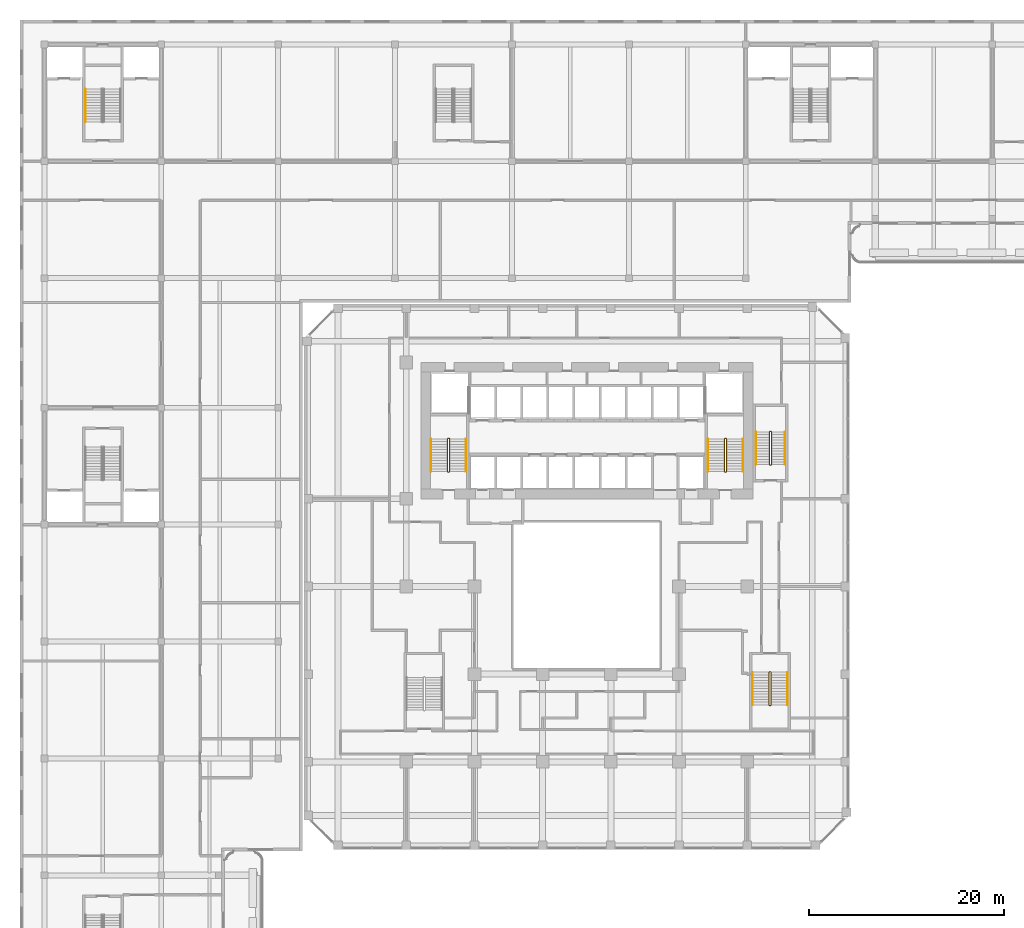
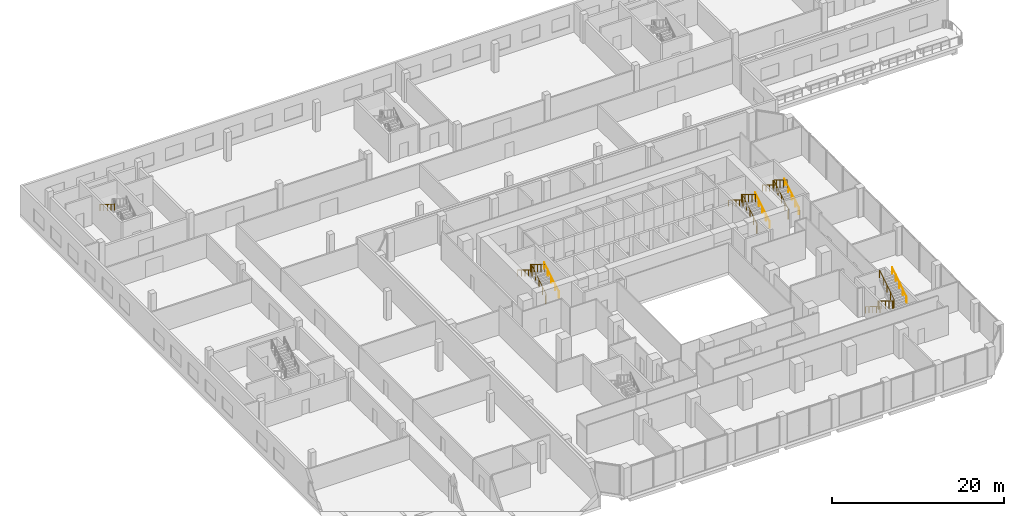
# One storey, part 31 of 36: 13 railings.
"""IFC4 building model written with IfcOpenShell, lengths in metres."""

import ifcopenshell
import ifcopenshell.guid

model = None  # the IFC model being written
_history = None  # IfcOwnerHistory: only IFC2X3 demands one
_inside = {}  # id of a spatial element -> (the spatial element, [elements in it])
_under = {}  # id of a project, library or spatial element -> (it, [spatial elements below it])
_declared = {}  # id of a project -> (the project, [libraries it declares])
_typed = {}  # id of a type object -> (the type object, [elements of that type])
_made_of = {}  # id of a material, layer set ... -> (it, [elements and type objects made of it])


def new_model(schema):
    """Start an empty IFC model of exactly this schema.

    Asked for "IFC4X3", IfcOpenShell would pick the latest addendum, in which some entities
    have other attributes; the version numbers below select the first issue.
    IFC2X3 requires an IfcOwnerHistory on every rooted entity: one is made here for all.
    """
    global model, _history
    if schema == "IFC4X3":
        model = ifcopenshell.file(schema_version=(4, 3, 0, 0))
    else:
        model = ifcopenshell.file(schema=schema)
    _inside.clear()
    _under.clear()
    _declared.clear()
    _typed.clear()
    _made_of.clear()
    _history = None
    if model.schema == "IFC2X3":
        org = make("IfcOrganization", Name="unknown")
        user = make(
            "IfcPersonAndOrganization",
            ThePerson=make("IfcPerson", FamilyName="unknown"),
            TheOrganization=org,
        )
        app = make(
            "IfcApplication",
            ApplicationDeveloper=org,
            Version="unknown",
            ApplicationFullName="unknown",
            ApplicationIdentifier="unknown",
        )
        _history = make(
            "IfcOwnerHistory",
            OwningUser=user,
            OwningApplication=app,
            ChangeAction="ADDED",
            CreationDate=0,
        )
    return model


def make(cls, **values):
    """One entity of the class cls with the attributes given. An attribute that is None is left unset."""
    return model.create_entity(
        cls, **{name: value for name, value in values.items() if value is not None}
    )


def rooted(cls, **values):
    """An entity with a GlobalId (a new one), such as an element, a storey or a relation."""
    return make(cls, GlobalId=ifcopenshell.guid.new(), OwnerHistory=_history, **values)


def si_unit(unit_type, name, prefix=None):
    """IfcSIUnit, for example si_unit("LENGTHUNIT", "METRE", prefix="MILLI")."""
    return make("IfcSIUnit", UnitType=unit_type, Prefix=prefix, Name=name)


def assignment(units):
    """IfcUnitAssignment: the units of a project."""
    return None if units is None else make("IfcUnitAssignment", Units=units)


def point(xyz):
    """IfcCartesianPoint."""
    return None if xyz is None else make("IfcCartesianPoint", Coordinates=xyz)


def direction(xyz):
    """IfcDirection."""
    return None if xyz is None else make("IfcDirection", DirectionRatios=xyz)


def frame(location, z_axis=None, x_axis=None):
    """IfcAxis2Placement3D, a coordinate frame: its origin and axes. An axis left out is left unset."""
    return make(
        "IfcAxis2Placement3D",
        Location=point(location),
        Axis=direction(z_axis),
        RefDirection=direction(x_axis),
    )


def frame_2d(location, x_axis=None):
    """IfcAxis2Placement2D, a coordinate frame in the plane: its origin and x axis."""
    return make(
        "IfcAxis2Placement2D", Location=point(location), RefDirection=direction(x_axis)
    )


def origin():
    """The frame at (0, 0, 0) with its axes left unset."""
    return frame((0.0, 0.0, 0.0))


def origin_2d():
    """The frame at (0, 0) in the plane with its x axis left unset."""
    return frame_2d((0.0, 0.0))


def place(relative_to, where):
    """IfcLocalPlacement: puts the frame where relative to a parent placement (None: the world)."""
    return make(
        "IfcLocalPlacement", PlacementRelTo=relative_to, RelativePlacement=where
    )


def context(
    kind, dimensions, precision=None, world=None, true_north=None, identifier=None
):
    """IfcGeometricRepresentationContext, for example the 3D "Model" context."""
    return make(
        "IfcGeometricRepresentationContext",
        ContextIdentifier=identifier,
        ContextType=kind,
        CoordinateSpaceDimension=dimensions,
        Precision=precision,
        WorldCoordinateSystem=world,
        TrueNorth=true_north,
    )


def subcontext(parent, identifier, kind, view, scale=None):
    """IfcGeometricRepresentationSubContext, for example "Body" below "Model"."""
    return make(
        "IfcGeometricRepresentationSubContext",
        ContextIdentifier=identifier,
        ContextType=kind,
        ParentContext=parent,
        TargetScale=scale,
        TargetView=view,
    )


def project(units=None, contexts=None):
    """IfcProject with its units and contexts."""
    return rooted(
        "IfcProject",
        Name="project",
        RepresentationContexts=contexts,
        UnitsInContext=assignment(units),
    )


def spatial(cls, under=None, at=None, **own):
    """A site, building, storey or space (cls), placed at a placement, below another one or the project."""
    s = rooted(cls, ObjectPlacement=at, **own)
    if under is not None:
        _under.setdefault(under.id(), (under, []))[1].append(s)
    return s


def profile(cls, at=None, kind="AREA", **sizes):
    """A parametric profile (cls). Its sizes go by their IFC names, for example OverallWidth=200.0."""
    return make(cls, ProfileType=kind, Position=at, **sizes)


def circle(**sizes):
    """IfcCircleProfileDef."""
    return profile("IfcCircleProfileDef", **sizes)


def extrude(swept, where, along, depth):
    """IfcExtrudedAreaSolid: the profile swept, set in the frame where, extruded along a direction by depth."""
    return make(
        "IfcExtrudedAreaSolid",
        SweptArea=swept,
        Position=where,
        ExtrudedDirection=direction(along),
        Depth=depth,
    )


def shape(context_of_items, identifier, shape_type, items):
    """IfcShapeRepresentation: the items that make up one representation, for example the "Body"."""
    return make(
        "IfcShapeRepresentation",
        ContextOfItems=context_of_items,
        RepresentationIdentifier=identifier,
        RepresentationType=shape_type,
        Items=items,
    )


def material(Name=None, Category=None):
    """IfcMaterial."""
    return make("IfcMaterial", Name=Name, Category=Category)


def made_of(thing, what):
    """Note that an element or type object is made of a material, layer set ...; save() writes the relation."""
    if what is not None:
        _made_of.setdefault(what.id(), (what, []))[1].append(thing)
    return thing


def type_object(cls, material=None, **own):
    """A type object (cls), such as IfcWallType, which elements share."""
    return made_of(rooted(cls, **own), material)


def element(
    cls,
    number,
    at=None,
    inside=None,
    cuts=None,
    type_object=None,
    material=None,
    context=None,
    identifier="Body",
    shape_type=None,
    held_by="IfcProductDefinitionShape",
    body=None,
    shapes=None,
    **own,
):
    """One element of the class cls, such as IfcWall. Its Tag is "e" and its number.

    at: its placement. inside: the storey or other place that contains it. cuts: it is an
    opening in that element (IfcRelVoidsElement). A single representation is given by context,
    identifier, shape_type and body (its items); several are given by shapes. held_by: the class
    of the entity that holds the representations. save() writes the other relations.
    """
    e = rooted(cls, Tag="e%d" % number, ObjectPlacement=at, **own)
    if body is not None:
        shapes = [shape(context, identifier, shape_type, body)]
    if shapes is not None:
        e.Representation = make(held_by, Representations=shapes)
    if inside is not None:
        _inside.setdefault(inside.id(), (inside, []))[1].append(e)
    if cuts is not None:
        rooted(
            "IfcRelVoidsElement", RelatingBuildingElement=cuts, RelatedOpeningElement=e
        )
    if type_object is not None:
        _typed.setdefault(type_object.id(), (type_object, []))[1].append(e)
    return made_of(e, material)


def aggregate(whole, parts):
    """IfcRelAggregates: a whole, such as a stair, and the parts it consists of."""
    return rooted("IfcRelAggregates", RelatingObject=whole, RelatedObjects=parts)


def save(model, path):
    """Write the relations noted so far, then the file.

    IfcRelAggregates (storeys below a building ...), IfcRelContainedInSpatialStructure (elements
    in a storey), IfcRelDefinesByType, IfcRelAssociatesMaterial and IfcRelDeclares: one each for
    every whole, place, type object, material and project.
    """
    for whole, parts in _under.values():
        aggregate(whole, parts)
    for where, things in _inside.values():
        rooted(
            "IfcRelContainedInSpatialStructure",
            RelatedElements=things,
            RelatingStructure=where,
        )
    for kind, things in _typed.values():
        rooted("IfcRelDefinesByType", RelatedObjects=things, RelatingType=kind)
    for what, things in _made_of.values():
        rooted("IfcRelAssociatesMaterial", RelatedObjects=things, RelatingMaterial=what)
    for by, libraries in _declared.values():
        rooted("IfcRelDeclares", RelatingContext=by, RelatedDefinitions=libraries)
    model.write(path)


model = new_model("IFC4")

# Units and contexts
model_context = context("Model", 3, precision=1e-05, world=origin(), true_north=direction((0.0, 1.0)))
body_context = subcontext(model_context, "Body", "Model", "MODEL_VIEW")
ifc_project = project(units=[si_unit("LENGTHUNIT", "METRE"), si_unit("AREAUNIT", "SQUARE_METRE"), si_unit("VOLUMEUNIT", "CUBIC_METRE"), si_unit("PLANEANGLEUNIT", "RADIAN"), si_unit("MASSUNIT", "GRAM", prefix="KILO")], contexts=[model_context])

# Site, building, storey
site_placement = place(None, origin())
site = spatial("IfcSite", under=ifc_project, at=site_placement, CompositionType="ELEMENT")
building_placement = place(site_placement, origin())
building = spatial("IfcBuilding", under=site, at=building_placement, Name="Kilnfold Tower and Market Hall", CompositionType="ELEMENT")
storey_placement = place(building_placement, frame((0.0, 0.0, 18.0)))
storey = spatial("IfcBuildingStorey", under=building, at=storey_placement, Name="L03", CompositionType="ELEMENT", Elevation=18.0)

# Railings
ifc_material_1 = material(Name="Stainless steel 316", Category="steel")
railing_type_1 = type_object("IfcRailingType", Name="CORE STAIR GUARD 1100", PredefinedType="GUARDRAIL", material=ifc_material_1)
railing_1_placement = place(storey_placement, frame((-13.199951171875, 10.75, 0.0)))
element("IfcRailing", 1, at=railing_1_placement, inside=storey, type_object=railing_type_1, Name="L03 ST1 stair guard 1", PredefinedType="GUARDRAIL", context=body_context, shape_type="SweptSolid", body=[
    extrude(circle(Radius=0.02392578125, at=origin_2d()), frame((0.0, 0.0, 1.076171875), z_axis=(1.0, 0.0, 0.0), x_axis=(0.0, 1.0, 0.0)), (0.0, 0.0, 1.0), 0.099853515625),
    extrude(circle(Radius=0.02392578125, at=origin_2d()), frame((0.099853515625, 0.0, 1.076171875), z_axis=(0.267629722418, 0.267629722418, 0.925607186314), x_axis=(-0.707106781187, 0.707106781187, 0.0)), (0.0, 0.0, 1.0), 0.18701171875),
    extrude(circle(Radius=0.02392578125, at=origin_2d()), frame((0.14990234375, 0.050048828125, 1.2490234375), z_axis=(0.0, 0.850606129759, 0.525803396734), x_axis=(-1.0, 0.0, 0.0)), (0.0, 0.0, 1.0), 3.949951171875),
    extrude(circle(Radius=0.02392578125, at=origin_2d()), frame((0.14990234375, 3.409912109375, 3.326171875), z_axis=(-0.707106781187, 0.707106781187, 0.0), x_axis=(-0.707106781187, -0.707106781187, 0.0)), (0.0, 0.0, 1.0), 0.07080078125),
    extrude(circle(Radius=0.02392578125, at=origin_2d()), frame((0.099853515625, 3.4599609375, 3.326171875), z_axis=(-1.0, 0.0, 0.0), x_axis=(0.0, -1.0, 0.0)), (0.0, 0.0, 1.0), 0.099853515625),
    extrude(circle(Radius=0.02392578125, at=origin_2d()), frame((0.0, 3.4599609375, 3.326171875), z_axis=(-0.267629722418, -0.267629722418, 0.925607186314), x_axis=(0.707106781187, -0.707106781187, 0.0)), (0.0, 0.0, 1.0), 0.18701171875),
    extrude(circle(Radius=0.02392578125, at=origin_2d()), frame((-0.050048828125, 3.409912109375, 3.4990234375), z_axis=(0.0, -0.850606129759, 0.525803396734), x_axis=(1.0, 0.0, 0.0)), (0.0, 0.0, 1.0), 3.949951171875),
    extrude(circle(Radius=0.02099609375, at=origin_2d()), origin(), (0.0, 0.0, 1.0), 1.052001953125),
    extrude(circle(Radius=0.02099609375, at=origin_2d()), frame((0.099853515625, 0.0, 0.0)), (0.0, 0.0, 1.0), 1.052001953125),
    extrude(circle(Radius=0.02099609375, at=origin_2d()), frame((0.14990234375, 0.050048828125, 0.173095703125)), (0.0, 0.0, 1.0), 1.052001953125),
    extrude(circle(Radius=0.02099609375, at=origin_2d()), frame((0.14990234375, 0.89013671875, 0.6923828125)), (0.0, 0.0, 1.0), 1.052001953125),
    extrude(circle(Radius=0.02099609375, at=origin_2d()), frame((0.14990234375, 1.72998046875, 1.21142578125)), (0.0, 0.0, 1.0), 1.052001953125),
    extrude(circle(Radius=0.02099609375, at=origin_2d()), frame((0.14990234375, 2.56982421875, 1.730712890625)), (0.0, 0.0, 1.0), 1.052001953125),
    extrude(circle(Radius=0.02099609375, at=origin_2d()), frame((0.14990234375, 3.409912109375, 2.25)), (0.0, 0.0, 1.0), 1.052001953125),
    extrude(circle(Radius=0.02099609375, at=origin_2d()), frame((0.099853515625, 3.4599609375, 2.25)), (0.0, 0.0, 1.0), 1.052001953125),
    extrude(circle(Radius=0.02099609375, at=origin_2d()), frame((0.0, 3.4599609375, 2.25)), (0.0, 0.0, 1.0), 1.052001953125),
    extrude(circle(Radius=0.02099609375, at=origin_2d()), frame((-0.050048828125, 3.409912109375, 2.423095703125)), (0.0, 0.0, 1.0), 1.052001953125),
    extrude(circle(Radius=0.02099609375, at=origin_2d()), frame((-0.050048828125, 2.56982421875, 2.9423828125)), (0.0, 0.0, 1.0), 1.052001953125),
    extrude(circle(Radius=0.02099609375, at=origin_2d()), frame((-0.050048828125, 1.72998046875, 3.46142578125)), (0.0, 0.0, 1.0), 1.052001953125),
    extrude(circle(Radius=0.02099609375, at=origin_2d()), frame((-0.050048828125, 0.89013671875, 3.980712890625)), (0.0, 0.0, 1.0), 1.052001953125),
    extrude(circle(Radius=0.02099609375, at=origin_2d()), frame((-0.050048828125, 0.050048828125, 4.5)), (0.0, 0.0, 1.0), 1.052001953125),
])
railing_2_placement = place(storey_placement, frame((15.199951171875, 10.75, 0.0)))
element("IfcRailing", 2, at=railing_2_placement, inside=storey, type_object=railing_type_1, Name="L03 ST2 stair guard 1", PredefinedType="GUARDRAIL", context=body_context, shape_type="SweptSolid", body=[
    extrude(circle(Radius=0.02392578125, at=origin_2d()), frame((0.0, 0.0, 1.076171875), z_axis=(1.0, 0.0, 0.0), x_axis=(0.0, 1.0, 0.0)), (0.0, 0.0, 1.0), 0.10009765625),
    extrude(circle(Radius=0.02392578125, at=origin_2d()), frame((0.10009765625, 0.0, 1.076171875), z_axis=(0.267629722418, 0.267629722418, 0.925607186314), x_axis=(-0.707106781187, 0.707106781187, 0.0)), (0.0, 0.0, 1.0), 0.18701171875),
    extrude(circle(Radius=0.02392578125, at=origin_2d()), frame((0.150146484375, 0.050048828125, 1.2490234375), z_axis=(0.0, 0.850606129759, 0.525803396734), x_axis=(-1.0, 0.0, 0.0)), (0.0, 0.0, 1.0), 3.949951171875),
    extrude(circle(Radius=0.02392578125, at=origin_2d()), frame((0.150146484375, 3.409912109375, 3.326171875), z_axis=(-0.707106781187, 0.707106781187, 0.0), x_axis=(-0.707106781187, -0.707106781187, 0.0)), (0.0, 0.0, 1.0), 0.07080078125),
    extrude(circle(Radius=0.02392578125, at=origin_2d()), frame((0.10009765625, 3.4599609375, 3.326171875), z_axis=(-1.0, 0.0, 0.0), x_axis=(0.0, -1.0, 0.0)), (0.0, 0.0, 1.0), 0.10009765625),
    extrude(circle(Radius=0.02392578125, at=origin_2d()), frame((0.0, 3.4599609375, 3.326171875), z_axis=(-0.267629722418, -0.267629722418, 0.925607186314), x_axis=(0.707106781187, -0.707106781187, 0.0)), (0.0, 0.0, 1.0), 0.18701171875),
    extrude(circle(Radius=0.02392578125, at=origin_2d()), frame((-0.050048828125, 3.409912109375, 3.4990234375), z_axis=(0.0, -0.850606129759, 0.525803396734), x_axis=(1.0, 0.0, 0.0)), (0.0, 0.0, 1.0), 3.949951171875),
    extrude(circle(Radius=0.02099609375, at=origin_2d()), origin(), (0.0, 0.0, 1.0), 1.052001953125),
    extrude(circle(Radius=0.02099609375, at=origin_2d()), frame((0.10009765625, 0.0, 0.0)), (0.0, 0.0, 1.0), 1.052001953125),
    extrude(circle(Radius=0.02099609375, at=origin_2d()), frame((0.150146484375, 0.050048828125, 0.173095703125)), (0.0, 0.0, 1.0), 1.052001953125),
    extrude(circle(Radius=0.02099609375, at=origin_2d()), frame((0.150146484375, 0.89013671875, 0.6923828125)), (0.0, 0.0, 1.0), 1.052001953125),
    extrude(circle(Radius=0.02099609375, at=origin_2d()), frame((0.150146484375, 1.72998046875, 1.21142578125)), (0.0, 0.0, 1.0), 1.052001953125),
    extrude(circle(Radius=0.02099609375, at=origin_2d()), frame((0.150146484375, 2.56982421875, 1.730712890625)), (0.0, 0.0, 1.0), 1.052001953125),
    extrude(circle(Radius=0.02099609375, at=origin_2d()), frame((0.150146484375, 3.409912109375, 2.25)), (0.0, 0.0, 1.0), 1.052001953125),
    extrude(circle(Radius=0.02099609375, at=origin_2d()), frame((0.10009765625, 3.4599609375, 2.25)), (0.0, 0.0, 1.0), 1.052001953125),
    extrude(circle(Radius=0.02099609375, at=origin_2d()), frame((0.0, 3.4599609375, 2.25)), (0.0, 0.0, 1.0), 1.052001953125),
    extrude(circle(Radius=0.02099609375, at=origin_2d()), frame((-0.050048828125, 3.409912109375, 2.423095703125)), (0.0, 0.0, 1.0), 1.052001953125),
    extrude(circle(Radius=0.02099609375, at=origin_2d()), frame((-0.050048828125, 2.56982421875, 2.9423828125)), (0.0, 0.0, 1.0), 1.052001953125),
    extrude(circle(Radius=0.02099609375, at=origin_2d()), frame((-0.050048828125, 1.72998046875, 3.46142578125)), (0.0, 0.0, 1.0), 1.052001953125),
    extrude(circle(Radius=0.02099609375, at=origin_2d()), frame((-0.050048828125, 0.89013671875, 3.980712890625)), (0.0, 0.0, 1.0), 1.052001953125),
    extrude(circle(Radius=0.02099609375, at=origin_2d()), frame((-0.050048828125, 0.050048828125, 4.5)), (0.0, 0.0, 1.0), 1.052001953125),
])
railing_3_placement = place(storey_placement, frame((19.89990234375, -9.75, 0.0)))
element("IfcRailing", 3, at=railing_3_placement, inside=storey, type_object=railing_type_1, Name="L03 ST4 stair guard 1", PredefinedType="GUARDRAIL", context=body_context, shape_type="SweptSolid", body=[
    extrude(circle(Radius=0.02392578125, at=origin_2d()), frame((0.0, 0.0, 1.076171875), z_axis=(-1.0, 0.0, 0.0), x_axis=(0.0, -1.0, 0.0)), (0.0, 0.0, 1.0), 0.099853515625),
    extrude(circle(Radius=0.02392578125, at=origin_2d()), frame((-0.099853515625, 0.0, 1.076171875), z_axis=(-0.267629722418, -0.267629722418, 0.925607186314), x_axis=(0.707106781187, -0.707106781187, 0.0)), (0.0, 0.0, 1.0), 0.18701171875),
    extrude(circle(Radius=0.02392578125, at=origin_2d()), frame((-0.14990234375, -0.050048828125, 1.2490234375), z_axis=(0.0, -0.850606129759, 0.525803396734), x_axis=(1.0, 0.0, 0.0)), (0.0, 0.0, 1.0), 3.949951171875),
    extrude(circle(Radius=0.02392578125, at=origin_2d()), frame((-0.14990234375, -3.409912109375, 3.326171875), z_axis=(0.707106781187, -0.707106781187, 0.0), x_axis=(0.707106781187, 0.707106781187, 0.0)), (0.0, 0.0, 1.0), 0.07080078125),
    extrude(circle(Radius=0.02392578125, at=origin_2d()), frame((-0.099853515625, -3.4599609375, 3.326171875), z_axis=(1.0, 0.0, 0.0), x_axis=(0.0, 1.0, 0.0)), (0.0, 0.0, 1.0), 0.099853515625),
    extrude(circle(Radius=0.02392578125, at=origin_2d()), frame((0.0, -3.4599609375, 3.326171875), z_axis=(0.267629722418, 0.267629722418, 0.925607186314), x_axis=(-0.707106781187, 0.707106781187, 0.0)), (0.0, 0.0, 1.0), 0.18701171875),
    extrude(circle(Radius=0.02392578125, at=origin_2d()), frame((0.050048828125, -3.409912109375, 3.4990234375), z_axis=(0.0, 0.850606129759, 0.525803396734), x_axis=(-1.0, 0.0, 0.0)), (0.0, 0.0, 1.0), 3.949951171875),
    extrude(circle(Radius=0.02099609375, at=origin_2d()), origin(), (0.0, 0.0, 1.0), 1.052001953125),
    extrude(circle(Radius=0.02099609375, at=origin_2d()), frame((-0.099853515625, 0.0, 0.0)), (0.0, 0.0, 1.0), 1.052001953125),
    extrude(circle(Radius=0.02099609375, at=origin_2d()), frame((-0.14990234375, -0.050048828125, 0.173095703125)), (0.0, 0.0, 1.0), 1.052001953125),
    extrude(circle(Radius=0.02099609375, at=origin_2d()), frame((-0.14990234375, -0.89013671875, 0.6923828125)), (0.0, 0.0, 1.0), 1.052001953125),
    extrude(circle(Radius=0.02099609375, at=origin_2d()), frame((-0.14990234375, -1.72998046875, 1.21142578125)), (0.0, 0.0, 1.0), 1.052001953125),
    extrude(circle(Radius=0.02099609375, at=origin_2d()), frame((-0.14990234375, -2.56982421875, 1.730712890625)), (0.0, 0.0, 1.0), 1.052001953125),
    extrude(circle(Radius=0.02099609375, at=origin_2d()), frame((-0.14990234375, -3.409912109375, 2.25)), (0.0, 0.0, 1.0), 1.052001953125),
    extrude(circle(Radius=0.02099609375, at=origin_2d()), frame((-0.099853515625, -3.4599609375, 2.25)), (0.0, 0.0, 1.0), 1.052001953125),
    extrude(circle(Radius=0.02099609375, at=origin_2d()), frame((0.0, -3.4599609375, 2.25)), (0.0, 0.0, 1.0), 1.052001953125),
    extrude(circle(Radius=0.02099609375, at=origin_2d()), frame((0.050048828125, -3.409912109375, 2.423095703125)), (0.0, 0.0, 1.0), 1.052001953125),
    extrude(circle(Radius=0.02099609375, at=origin_2d()), frame((0.050048828125, -2.56982421875, 2.9423828125)), (0.0, 0.0, 1.0), 1.052001953125),
    extrude(circle(Radius=0.02099609375, at=origin_2d()), frame((0.050048828125, -1.72998046875, 3.46142578125)), (0.0, 0.0, 1.0), 1.052001953125),
    extrude(circle(Radius=0.02099609375, at=origin_2d()), frame((0.050048828125, -0.89013671875, 3.980712890625)), (0.0, 0.0, 1.0), 1.052001953125),
    extrude(circle(Radius=0.02099609375, at=origin_2d()), frame((0.050048828125, -0.050048828125, 4.5)), (0.0, 0.0, 1.0), 1.052001953125),
])
railing_4_placement = place(storey_placement, frame((19.85009765625, 11.449951171875, 0.0)))
element("IfcRailing", 4, at=railing_4_placement, inside=storey, type_object=railing_type_1, Name="L03 ST5 stair guard 1", PredefinedType="GUARDRAIL", context=body_context, shape_type="SweptSolid", body=[
    extrude(circle(Radius=0.02392578125, at=origin_2d()), frame((0.0, 0.0, 1.076171875), z_axis=(1.0, 0.0, 0.0), x_axis=(0.0, 1.0, 0.0)), (0.0, 0.0, 1.0), 0.099853515625),
    extrude(circle(Radius=0.02392578125, at=origin_2d()), frame((0.099853515625, 0.0, 1.076171875), z_axis=(0.267629722418, 0.267629722418, 0.925607186314), x_axis=(-0.707106781187, 0.707106781187, 0.0)), (0.0, 0.0, 1.0), 0.18701171875),
    extrude(circle(Radius=0.02392578125, at=origin_2d()), frame((0.14990234375, 0.050048828125, 1.2490234375), z_axis=(0.0, 0.850623216509, 0.525775754039), x_axis=(-1.0, 0.0, 0.0)), (0.0, 0.0, 1.0), 3.9501953125),
    extrude(circle(Radius=0.02392578125, at=origin_2d()), frame((0.14990234375, 3.41015625, 3.326171875), z_axis=(-0.708833529934, 0.705375805398, 0.0), x_axis=(-0.705375805398, -0.708833529934, 0.0)), (0.0, 0.0, 1.0), 0.070556640625),
    extrude(circle(Radius=0.02392578125, at=origin_2d()), frame((0.099853515625, 3.4599609375, 3.326171875), z_axis=(-1.0, 0.0, 0.0), x_axis=(0.0, -1.0, 0.0)), (0.0, 0.0, 1.0), 0.099853515625),
    extrude(circle(Radius=0.02392578125, at=origin_2d()), frame((0.0, 3.4599609375, 3.326171875), z_axis=(-0.267723051232, -0.266417085129, 0.925929967433), x_axis=(0.705375805398, -0.708833529934, 0.0)), (0.0, 0.0, 1.0), 0.18701171875),
    extrude(circle(Radius=0.02392578125, at=origin_2d()), frame((-0.050048828125, 3.41015625, 3.4990234375), z_axis=(0.0, -0.850623216509, 0.525775754039), x_axis=(1.0, 0.0, 0.0)), (0.0, 0.0, 1.0), 3.9501953125),
    extrude(circle(Radius=0.02099609375, at=origin_2d()), origin(), (0.0, 0.0, 1.0), 1.052001953125),
    extrude(circle(Radius=0.02099609375, at=origin_2d()), frame((0.099853515625, 0.0, 0.0)), (0.0, 0.0, 1.0), 1.052001953125),
    extrude(circle(Radius=0.02099609375, at=origin_2d()), frame((0.14990234375, 0.050048828125, 0.173095703125)), (0.0, 0.0, 1.0), 1.052001953125),
    extrude(circle(Radius=0.02099609375, at=origin_2d()), frame((0.14990234375, 0.89013671875, 0.6923828125)), (0.0, 0.0, 1.0), 1.052001953125),
    extrude(circle(Radius=0.02099609375, at=origin_2d()), frame((0.14990234375, 1.72998046875, 1.21142578125)), (0.0, 0.0, 1.0), 1.052001953125),
    extrude(circle(Radius=0.02099609375, at=origin_2d()), frame((0.14990234375, 2.570068359375, 1.730712890625)), (0.0, 0.0, 1.0), 1.052001953125),
    extrude(circle(Radius=0.02099609375, at=origin_2d()), frame((0.14990234375, 3.41015625, 2.25)), (0.0, 0.0, 1.0), 1.052001953125),
    extrude(circle(Radius=0.02099609375, at=origin_2d()), frame((0.099853515625, 3.4599609375, 2.25)), (0.0, 0.0, 1.0), 1.052001953125),
    extrude(circle(Radius=0.02099609375, at=origin_2d()), frame((0.0, 3.4599609375, 2.25)), (0.0, 0.0, 1.0), 1.052001953125),
    extrude(circle(Radius=0.02099609375, at=origin_2d()), frame((-0.050048828125, 3.41015625, 2.423095703125)), (0.0, 0.0, 1.0), 1.052001953125),
    extrude(circle(Radius=0.02099609375, at=origin_2d()), frame((-0.050048828125, 2.570068359375, 2.9423828125)), (0.0, 0.0, 1.0), 1.052001953125),
    extrude(circle(Radius=0.02099609375, at=origin_2d()), frame((-0.050048828125, 1.72998046875, 3.46142578125)), (0.0, 0.0, 1.0), 1.052001953125),
    extrude(circle(Radius=0.02099609375, at=origin_2d()), frame((-0.050048828125, 0.89013671875, 3.980712890625)), (0.0, 0.0, 1.0), 1.052001953125),
    extrude(circle(Radius=0.02099609375, at=origin_2d()), frame((-0.050048828125, 0.050048828125, 4.5)), (0.0, 0.0, 1.0), 1.052001953125),
])
ifc_material_2 = material(Name="Stainless steel 316", Category="steel")
railing_type_2 = type_object("IfcRailingType", Name="CORE STAIR HANDRAIL 900", PredefinedType="HANDRAIL", material=ifc_material_2)
railing_5_placement = place(storey_placement, frame((-11.35009765625, 10.800048828125, 0.173095703125)))
element("IfcRailing", 5, at=railing_5_placement, inside=storey, type_object=railing_type_2, Name="L03 ST1 stair handrail 1", PredefinedType="HANDRAIL", context=body_context, shape_type="SweptSolid", body=[
    extrude(circle(Radius=0.02392578125, at=origin_2d()), frame((0.0, 0.0, 0.8759765625), z_axis=(0.0, 0.850606129759, 0.525803396734), x_axis=(-1.0, 0.0, 0.0)), (0.0, 0.0, 1.0), 3.949951171875),
    extrude(circle(Radius=0.02099609375, at=origin_2d()), origin(), (0.0, 0.0, 1.0), 0.851806640625),
    extrude(circle(Radius=0.02099609375, at=origin_2d()), frame((0.0, 0.83984375, 0.519287109375)), (0.0, 0.0, 1.0), 0.851806640625),
    extrude(circle(Radius=0.02099609375, at=origin_2d()), frame((0.0, 1.679931640625, 1.03857421875)), (0.0, 0.0, 1.0), 0.851806640625),
    extrude(circle(Radius=0.02099609375, at=origin_2d()), frame((0.0, 2.52001953125, 1.5576171875)), (0.0, 0.0, 1.0), 0.851806640625),
    extrude(circle(Radius=0.02099609375, at=origin_2d()), frame((0.0, 3.35986328125, 2.076904296875)), (0.0, 0.0, 1.0), 0.851806640625),
])
railing_6_placement = place(storey_placement, frame((-14.949951171875, 14.159912109375, 2.423095703125)))
element("IfcRailing", 6, at=railing_6_placement, inside=storey, type_object=railing_type_2, Name="L03 ST1 stair handrail 2", PredefinedType="HANDRAIL", context=body_context, shape_type="SweptSolid", body=[
    extrude(circle(Radius=0.02392578125, at=origin_2d()), frame((0.0, 0.0, 0.8759765625), z_axis=(0.0, -0.850606129759, 0.525803396734), x_axis=(1.0, 0.0, 0.0)), (0.0, 0.0, 1.0), 3.949951171875),
    extrude(circle(Radius=0.02099609375, at=origin_2d()), origin(), (0.0, 0.0, 1.0), 0.851806640625),
    extrude(circle(Radius=0.02099609375, at=origin_2d()), frame((0.0, -0.83984375, 0.519287109375)), (0.0, 0.0, 1.0), 0.851806640625),
    extrude(circle(Radius=0.02099609375, at=origin_2d()), frame((0.0, -1.679931640625, 1.03857421875)), (0.0, 0.0, 1.0), 0.851806640625),
    extrude(circle(Radius=0.02099609375, at=origin_2d()), frame((0.0, -2.52001953125, 1.5576171875)), (0.0, 0.0, 1.0), 0.851806640625),
    extrude(circle(Radius=0.02099609375, at=origin_2d()), frame((0.0, -3.35986328125, 2.076904296875)), (0.0, 0.0, 1.0), 0.851806640625),
])
railing_7_placement = place(storey_placement, frame((17.050048828125, 10.800048828125, 0.173095703125)))
element("IfcRailing", 7, at=railing_7_placement, inside=storey, type_object=railing_type_2, Name="L03 ST2 stair handrail 1", PredefinedType="HANDRAIL", context=body_context, shape_type="SweptSolid", body=[
    extrude(circle(Radius=0.02392578125, at=origin_2d()), frame((0.0, 0.0, 0.8759765625), z_axis=(0.0, 0.850606129759, 0.525803396734), x_axis=(-1.0, 0.0, 0.0)), (0.0, 0.0, 1.0), 3.949951171875),
    extrude(circle(Radius=0.02099609375, at=origin_2d()), origin(), (0.0, 0.0, 1.0), 0.851806640625),
    extrude(circle(Radius=0.02099609375, at=origin_2d()), frame((0.0, 0.83984375, 0.519287109375)), (0.0, 0.0, 1.0), 0.851806640625),
    extrude(circle(Radius=0.02099609375, at=origin_2d()), frame((0.0, 1.679931640625, 1.03857421875)), (0.0, 0.0, 1.0), 0.851806640625),
    extrude(circle(Radius=0.02099609375, at=origin_2d()), frame((0.0, 2.52001953125, 1.5576171875)), (0.0, 0.0, 1.0), 0.851806640625),
    extrude(circle(Radius=0.02099609375, at=origin_2d()), frame((0.0, 3.35986328125, 2.076904296875)), (0.0, 0.0, 1.0), 0.851806640625),
])
for number, where, name in (
    (8, (13.449951171875, 14.159912109375, 2.423095703125), "L03 ST2 stair handrail 2"),
    (9, (18.050048828125, -9.800048828125, 0.173095703125), "L03 ST4 stair handrail 1"),
):
    element("IfcRailing", number, at=place(storey_placement, frame(where)), inside=storey, type_object=railing_type_2, Name=name, PredefinedType="HANDRAIL", context=body_context, shape_type="SweptSolid", body=[
        extrude(circle(Radius=0.02392578125, at=origin_2d()), frame((0.0, 0.0, 0.8759765625), z_axis=(0.0, -0.850606129759, 0.525803396734), x_axis=(1.0, 0.0, 0.0)), (0.0, 0.0, 1.0), 3.949951171875),
        extrude(circle(Radius=0.02099609375, at=origin_2d()), origin(), (0.0, 0.0, 1.0), 0.851806640625),
        extrude(circle(Radius=0.02099609375, at=origin_2d()), frame((0.0, -0.83984375, 0.519287109375)), (0.0, 0.0, 1.0), 0.851806640625),
        extrude(circle(Radius=0.02099609375, at=origin_2d()), frame((0.0, -1.679931640625, 1.03857421875)), (0.0, 0.0, 1.0), 0.851806640625),
        extrude(circle(Radius=0.02099609375, at=origin_2d()), frame((0.0, -2.52001953125, 1.5576171875)), (0.0, 0.0, 1.0), 0.851806640625),
        extrude(circle(Radius=0.02099609375, at=origin_2d()), frame((0.0, -3.35986328125, 2.076904296875)), (0.0, 0.0, 1.0), 0.851806640625),
    ])
railing_8_placement = place(storey_placement, frame((21.64990234375, -13.159912109375, 2.423095703125)))
element("IfcRailing", 10, at=railing_8_placement, inside=storey, type_object=railing_type_2, Name="L03 ST4 stair handrail 2", PredefinedType="HANDRAIL", context=body_context, shape_type="SweptSolid", body=[
    extrude(circle(Radius=0.02392578125, at=origin_2d()), frame((0.0, 0.0, 0.8759765625), z_axis=(0.0, 0.850606129759, 0.525803396734), x_axis=(-1.0, 0.0, 0.0)), (0.0, 0.0, 1.0), 3.949951171875),
    extrude(circle(Radius=0.02099609375, at=origin_2d()), origin(), (0.0, 0.0, 1.0), 0.851806640625),
    extrude(circle(Radius=0.02099609375, at=origin_2d()), frame((0.0, 0.83984375, 0.519287109375)), (0.0, 0.0, 1.0), 0.851806640625),
    extrude(circle(Radius=0.02099609375, at=origin_2d()), frame((0.0, 1.679931640625, 1.03857421875)), (0.0, 0.0, 1.0), 0.851806640625),
    extrude(circle(Radius=0.02099609375, at=origin_2d()), frame((0.0, 2.52001953125, 1.5576171875)), (0.0, 0.0, 1.0), 0.851806640625),
    extrude(circle(Radius=0.02099609375, at=origin_2d()), frame((0.0, 3.35986328125, 2.076904296875)), (0.0, 0.0, 1.0), 0.851806640625),
])
railing_9_placement = place(storey_placement, frame((21.39990234375, 11.5, 0.173095703125)))
element("IfcRailing", 11, at=railing_9_placement, inside=storey, type_object=railing_type_2, Name="L03 ST5 stair handrail 1", PredefinedType="HANDRAIL", context=body_context, shape_type="SweptSolid", body=[
    extrude(circle(Radius=0.02392578125, at=origin_2d()), frame((0.0, 0.0, 0.8759765625), z_axis=(0.0, 0.850623216509, 0.525775754039), x_axis=(-1.0, 0.0, 0.0)), (0.0, 0.0, 1.0), 3.9501953125),
    extrude(circle(Radius=0.02099609375, at=origin_2d()), origin(), (0.0, 0.0, 1.0), 0.851806640625),
    extrude(circle(Radius=0.02099609375, at=origin_2d()), frame((0.0, 0.840087890625, 0.519287109375)), (0.0, 0.0, 1.0), 0.851806640625),
    extrude(circle(Radius=0.02099609375, at=origin_2d()), frame((0.0, 1.68017578125, 1.03857421875)), (0.0, 0.0, 1.0), 0.851806640625),
    extrude(circle(Radius=0.02099609375, at=origin_2d()), frame((0.0, 2.52001953125, 1.5576171875)), (0.0, 0.0, 1.0), 0.851806640625),
    extrude(circle(Radius=0.02099609375, at=origin_2d()), frame((0.0, 3.360107421875, 2.076904296875)), (0.0, 0.0, 1.0), 0.851806640625),
])
railing_10_placement = place(storey_placement, frame((18.39990234375, 14.860107421875, 2.423095703125)))
element("IfcRailing", 12, at=railing_10_placement, inside=storey, type_object=railing_type_2, Name="L03 ST5 stair handrail 2", PredefinedType="HANDRAIL", context=body_context, shape_type="SweptSolid", body=[
    extrude(circle(Radius=0.02392578125, at=origin_2d()), frame((0.0, 0.0, 0.8759765625), z_axis=(0.0, -0.850623216509, 0.525775754039), x_axis=(1.0, 0.0, 0.0)), (0.0, 0.0, 1.0), 3.9501953125),
    extrude(circle(Radius=0.02099609375, at=origin_2d()), origin(), (0.0, 0.0, 1.0), 0.851806640625),
    extrude(circle(Radius=0.02099609375, at=origin_2d()), frame((0.0, -0.840087890625, 0.519287109375)), (0.0, 0.0, 1.0), 0.851806640625),
    extrude(circle(Radius=0.02099609375, at=origin_2d()), frame((0.0, -1.68017578125, 1.03857421875)), (0.0, 0.0, 1.0), 0.851806640625),
    extrude(circle(Radius=0.02099609375, at=origin_2d()), frame((0.0, -2.52001953125, 1.5576171875)), (0.0, 0.0, 1.0), 0.851806640625),
    extrude(circle(Radius=0.02099609375, at=origin_2d()), frame((0.0, -3.360107421875, 2.076904296875)), (0.0, 0.0, 1.0), 0.851806640625),
])
ifc_material_3 = material(Name="Steel S355", Category="steel")
railing_type_3 = type_object("IfcRailingType", Name="HALL STAIR HANDRAIL", PredefinedType="HANDRAIL", material=ifc_material_3)
railing_11_placement = place(storey_placement, frame((-50.449951171875, 50.06005859375, 2.423095703125)))
element("IfcRailing", 13, at=railing_11_placement, inside=storey, type_object=railing_type_3, Name="L03 MS3 stair handrail 2", PredefinedType="HANDRAIL", context=body_context, shape_type="SweptSolid", body=[
    extrude(circle(Radius=0.02392578125, at=origin_2d()), frame((0.0, 0.0, 0.8759765625), z_axis=(0.0, -0.850623216509, 0.525775754039), x_axis=(1.0, 0.0, 0.0)), (0.0, 0.0, 1.0), 3.9501953125),
    extrude(circle(Radius=0.02099609375, at=origin_2d()), origin(), (0.0, 0.0, 1.0), 0.851806640625),
    extrude(circle(Radius=0.02099609375, at=origin_2d()), frame((0.0, -0.840087890625, 0.519287109375)), (0.0, 0.0, 1.0), 0.851806640625),
    extrude(circle(Radius=0.02099609375, at=origin_2d()), frame((0.0, -1.68017578125, 1.03857421875)), (0.0, 0.0, 1.0), 0.851806640625),
    extrude(circle(Radius=0.02099609375, at=origin_2d()), frame((0.0, -2.52001953125, 1.5576171875)), (0.0, 0.0, 1.0), 0.851806640625),
    extrude(circle(Radius=0.02099609375, at=origin_2d()), frame((0.0, -3.360107421875, 2.076904296875)), (0.0, 0.0, 1.0), 0.851806640625),
])

save(model, "model.ifc")
